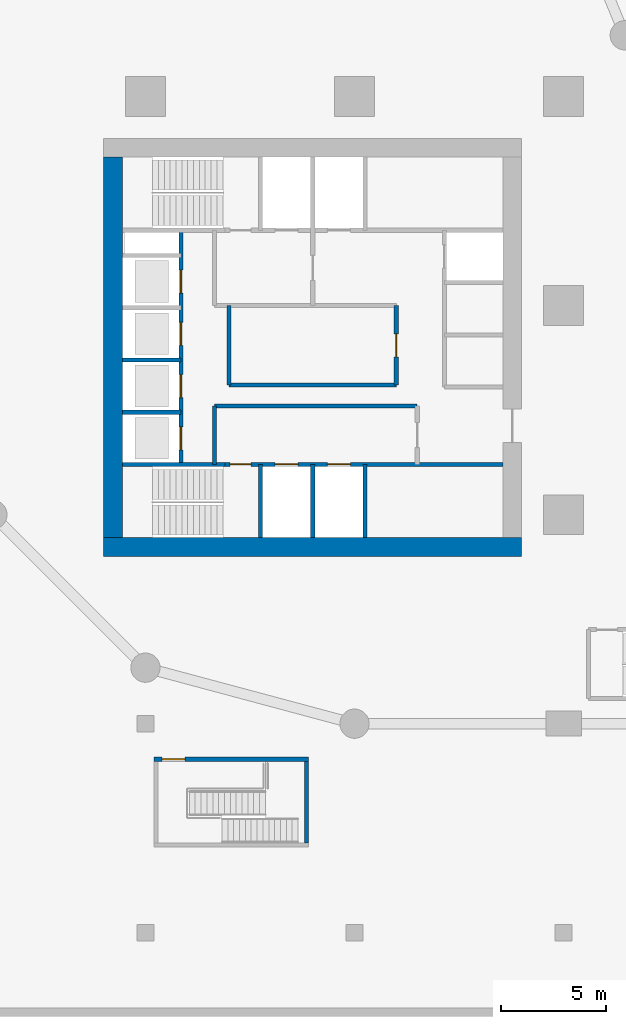
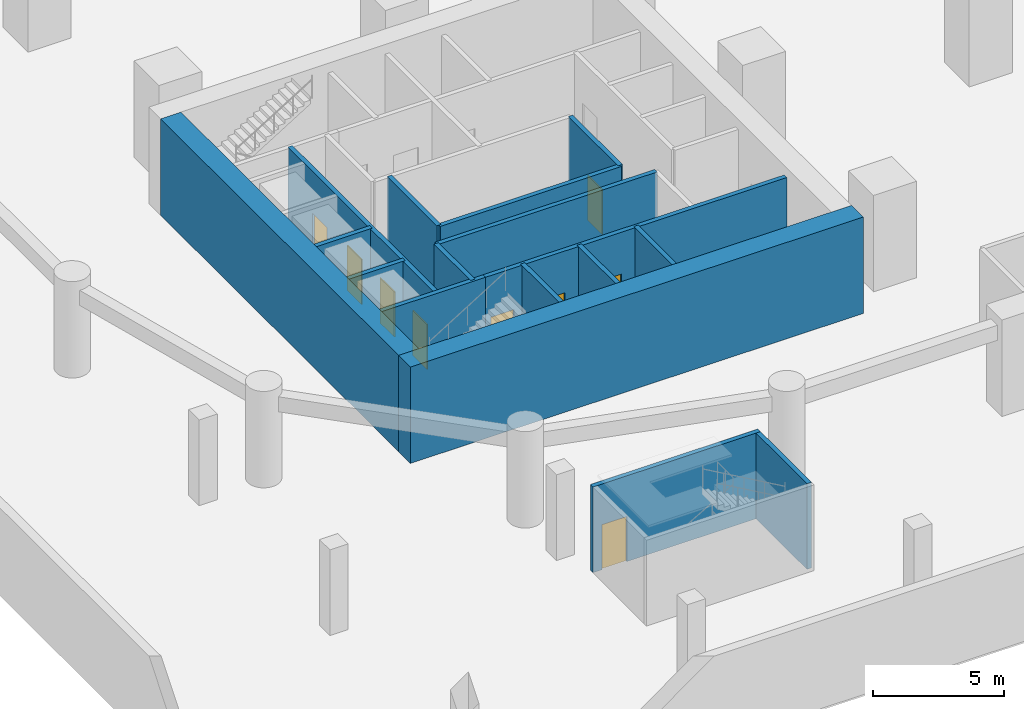
# One storey, part 3 of 19: 17 walls, 9 doors, 9 openings.
"""IFC4 building model written with IfcOpenShell, lengths in metres."""

import ifcopenshell
import ifcopenshell.guid

model = None  # the IFC model being written
_history = None  # IfcOwnerHistory: only IFC2X3 demands one
_inside = {}  # id of a spatial element -> (the spatial element, [elements in it])
_under = {}  # id of a project, library or spatial element -> (it, [spatial elements below it])
_declared = {}  # id of a project -> (the project, [libraries it declares])
_typed = {}  # id of a type object -> (the type object, [elements of that type])
_made_of = {}  # id of a material, layer set ... -> (it, [elements and type objects made of it])


def new_model(schema):
    """Start an empty IFC model of exactly this schema.

    Asked for "IFC4X3", IfcOpenShell would pick the latest addendum, in which some entities
    have other attributes; the version numbers below select the first issue.
    IFC2X3 requires an IfcOwnerHistory on every rooted entity: one is made here for all.
    """
    global model, _history
    if schema == "IFC4X3":
        model = ifcopenshell.file(schema_version=(4, 3, 0, 0))
    else:
        model = ifcopenshell.file(schema=schema)
    _inside.clear()
    _under.clear()
    _declared.clear()
    _typed.clear()
    _made_of.clear()
    _history = None
    if model.schema == "IFC2X3":
        org = make("IfcOrganization", Name="unknown")
        user = make(
            "IfcPersonAndOrganization",
            ThePerson=make("IfcPerson", FamilyName="unknown"),
            TheOrganization=org,
        )
        app = make(
            "IfcApplication",
            ApplicationDeveloper=org,
            Version="unknown",
            ApplicationFullName="unknown",
            ApplicationIdentifier="unknown",
        )
        _history = make(
            "IfcOwnerHistory",
            OwningUser=user,
            OwningApplication=app,
            ChangeAction="ADDED",
            CreationDate=0,
        )
    return model


def make(cls, **values):
    """One entity of the class cls with the attributes given. An attribute that is None is left unset."""
    return model.create_entity(
        cls, **{name: value for name, value in values.items() if value is not None}
    )


def rooted(cls, **values):
    """An entity with a GlobalId (a new one), such as an element, a storey or a relation."""
    return make(cls, GlobalId=ifcopenshell.guid.new(), OwnerHistory=_history, **values)


def si_unit(unit_type, name, prefix=None):
    """IfcSIUnit, for example si_unit("LENGTHUNIT", "METRE", prefix="MILLI")."""
    return make("IfcSIUnit", UnitType=unit_type, Prefix=prefix, Name=name)


def assignment(units):
    """IfcUnitAssignment: the units of a project."""
    return None if units is None else make("IfcUnitAssignment", Units=units)


def point(xyz):
    """IfcCartesianPoint."""
    return None if xyz is None else make("IfcCartesianPoint", Coordinates=xyz)


def direction(xyz):
    """IfcDirection."""
    return None if xyz is None else make("IfcDirection", DirectionRatios=xyz)


def frame(location, z_axis=None, x_axis=None):
    """IfcAxis2Placement3D, a coordinate frame: its origin and axes. An axis left out is left unset."""
    return make(
        "IfcAxis2Placement3D",
        Location=point(location),
        Axis=direction(z_axis),
        RefDirection=direction(x_axis),
    )


def frame_2d(location, x_axis=None):
    """IfcAxis2Placement2D, a coordinate frame in the plane: its origin and x axis."""
    return make(
        "IfcAxis2Placement2D", Location=point(location), RefDirection=direction(x_axis)
    )


def origin():
    """The frame at (0, 0, 0) with its axes left unset."""
    return frame((0.0, 0.0, 0.0))


def place(relative_to, where):
    """IfcLocalPlacement: puts the frame where relative to a parent placement (None: the world)."""
    return make(
        "IfcLocalPlacement", PlacementRelTo=relative_to, RelativePlacement=where
    )


def context(
    kind, dimensions, precision=None, world=None, true_north=None, identifier=None
):
    """IfcGeometricRepresentationContext, for example the 3D "Model" context."""
    return make(
        "IfcGeometricRepresentationContext",
        ContextIdentifier=identifier,
        ContextType=kind,
        CoordinateSpaceDimension=dimensions,
        Precision=precision,
        WorldCoordinateSystem=world,
        TrueNorth=true_north,
    )


def subcontext(parent, identifier, kind, view, scale=None):
    """IfcGeometricRepresentationSubContext, for example "Body" below "Model"."""
    return make(
        "IfcGeometricRepresentationSubContext",
        ContextIdentifier=identifier,
        ContextType=kind,
        ParentContext=parent,
        TargetScale=scale,
        TargetView=view,
    )


def project(units=None, contexts=None):
    """IfcProject with its units and contexts."""
    return rooted(
        "IfcProject",
        Name="project",
        RepresentationContexts=contexts,
        UnitsInContext=assignment(units),
    )


def spatial(cls, under=None, at=None, **own):
    """A site, building, storey or space (cls), placed at a placement, below another one or the project."""
    s = rooted(cls, ObjectPlacement=at, **own)
    if under is not None:
        _under.setdefault(under.id(), (under, []))[1].append(s)
    return s


def profile(cls, at=None, kind="AREA", **sizes):
    """A parametric profile (cls). Its sizes go by their IFC names, for example OverallWidth=200.0."""
    return make(cls, ProfileType=kind, Position=at, **sizes)


def rectangle(**sizes):
    """IfcRectangleProfileDef."""
    return profile("IfcRectangleProfileDef", **sizes)


def extrude(swept, where, along, depth):
    """IfcExtrudedAreaSolid: the profile swept, set in the frame where, extruded along a direction by depth."""
    return make(
        "IfcExtrudedAreaSolid",
        SweptArea=swept,
        Position=where,
        ExtrudedDirection=direction(along),
        Depth=depth,
    )


def shape(context_of_items, identifier, shape_type, items):
    """IfcShapeRepresentation: the items that make up one representation, for example the "Body"."""
    return make(
        "IfcShapeRepresentation",
        ContextOfItems=context_of_items,
        RepresentationIdentifier=identifier,
        RepresentationType=shape_type,
        Items=items,
    )


def material(Name=None, Category=None):
    """IfcMaterial."""
    return make("IfcMaterial", Name=Name, Category=Category)


def layer(
    of_material, thickness, ventilated=None, Name=None, Category=None, Priority=None
):
    """IfcMaterialLayer: one layer of a wall or slab, of a material (None: an air gap)."""
    return make(
        "IfcMaterialLayer",
        Material=of_material,
        LayerThickness=thickness,
        IsVentilated=ventilated,
        Name=Name,
        Category=Category,
        Priority=Priority,
    )


def layer_set(layers, Name=None):
    """IfcMaterialLayerSet."""
    return make("IfcMaterialLayerSet", MaterialLayers=layers, LayerSetName=Name)


def made_of(thing, what):
    """Note that an element or type object is made of a material, layer set ...; save() writes the relation."""
    if what is not None:
        _made_of.setdefault(what.id(), (what, []))[1].append(thing)
    return thing


def type_object(cls, material=None, **own):
    """A type object (cls), such as IfcWallType, which elements share."""
    return made_of(rooted(cls, **own), material)


def element(
    cls,
    number,
    at=None,
    inside=None,
    cuts=None,
    type_object=None,
    material=None,
    context=None,
    identifier="Body",
    shape_type=None,
    held_by="IfcProductDefinitionShape",
    body=None,
    shapes=None,
    **own,
):
    """One element of the class cls, such as IfcWall. Its Tag is "e" and its number.

    at: its placement. inside: the storey or other place that contains it. cuts: it is an
    opening in that element (IfcRelVoidsElement). A single representation is given by context,
    identifier, shape_type and body (its items); several are given by shapes. held_by: the class
    of the entity that holds the representations. save() writes the other relations.
    """
    e = rooted(cls, Tag="e%d" % number, ObjectPlacement=at, **own)
    if body is not None:
        shapes = [shape(context, identifier, shape_type, body)]
    if shapes is not None:
        e.Representation = make(held_by, Representations=shapes)
    if inside is not None:
        _inside.setdefault(inside.id(), (inside, []))[1].append(e)
    if cuts is not None:
        rooted(
            "IfcRelVoidsElement", RelatingBuildingElement=cuts, RelatedOpeningElement=e
        )
    if type_object is not None:
        _typed.setdefault(type_object.id(), (type_object, []))[1].append(e)
    return made_of(e, material)


def fill(opening, filler):
    """IfcRelFillsElement: the door or window that sits in an opening."""
    return rooted(
        "IfcRelFillsElement",
        RelatingOpeningElement=opening,
        RelatedBuildingElement=filler,
    )


def aggregate(whole, parts):
    """IfcRelAggregates: a whole, such as a stair, and the parts it consists of."""
    return rooted("IfcRelAggregates", RelatingObject=whole, RelatedObjects=parts)


def save(model, path):
    """Write the relations noted so far, then the file.

    IfcRelAggregates (storeys below a building ...), IfcRelContainedInSpatialStructure (elements
    in a storey), IfcRelDefinesByType, IfcRelAssociatesMaterial and IfcRelDeclares: one each for
    every whole, place, type object, material and project.
    """
    for whole, parts in _under.values():
        aggregate(whole, parts)
    for where, things in _inside.values():
        rooted(
            "IfcRelContainedInSpatialStructure",
            RelatedElements=things,
            RelatingStructure=where,
        )
    for kind, things in _typed.values():
        rooted("IfcRelDefinesByType", RelatedObjects=things, RelatingType=kind)
    for what, things in _made_of.values():
        rooted("IfcRelAssociatesMaterial", RelatedObjects=things, RelatingMaterial=what)
    for by, libraries in _declared.values():
        rooted("IfcRelDeclares", RelatingContext=by, RelatedDefinitions=libraries)
    model.write(path)


model = new_model("IFC4")

# Units and contexts
model_context = context("Model", 3, precision=1e-05, world=origin(), true_north=direction((0.0, 1.0)))
body_context = subcontext(model_context, "Body", "Model", "MODEL_VIEW")
ifc_project = project(units=[si_unit("LENGTHUNIT", "METRE"), si_unit("AREAUNIT", "SQUARE_METRE"), si_unit("VOLUMEUNIT", "CUBIC_METRE"), si_unit("PLANEANGLEUNIT", "RADIAN"), si_unit("MASSUNIT", "GRAM", prefix="KILO")], contexts=[model_context])

# Site, building, storey
site_placement = place(None, origin())
site = spatial("IfcSite", under=ifc_project, at=site_placement, CompositionType="ELEMENT")
building_placement = place(site_placement, origin())
building = spatial("IfcBuilding", under=site, at=building_placement, Name="Qaws Garden Tower", CompositionType="ELEMENT")
storey_placement = place(building_placement, frame((0.0, 0.0, -4.5)))
storey = spatial("IfcBuildingStorey", under=building, at=storey_placement, Name="B1", CompositionType="ELEMENT", Elevation=-4.5)

# Wall
ifc_material_1 = material(Name="Concrete C80", Category="concrete")
ifc_layer_1 = layer(ifc_material_1, 0.199951171875)
ifc_layer_set_1 = layer_set([ifc_layer_1], Name="Concrete C80")
wall_type_1 = type_object("IfcWallType", Name="Core shaft wall 200 C80", PredefinedType="SHEAR", material=ifc_layer_set_1)
wall_1_placement = place(storey_placement, frame((8.89990234375, 12.39990234375, 0.0), z_axis=(0.0, 0.0, 1.0), x_axis=(1.0, 0.0, 0.0)))
element("IfcWall", 1, at=wall_1_placement, inside=storey, type_object=wall_type_1, Name="Shaft wall", PredefinedType="SHEAR", context=body_context, shape_type="SweptSolid", body=[
    extrude(rectangle(XDim=4.900146484375, YDim=0.199951171875, at=frame_2d((2.4501953125, 0.0))), origin(), (0.0, 0.0, 1.0), 4.050048828125),
])

# Wall, openings, doors
wall_2_placement = place(storey_placement, frame((13.800048828125, 12.39990234375, 0.0), z_axis=(0.0, 0.0, 1.0), x_axis=(1.0, 0.0, 0.0)))
wall_2 = element("IfcWall", 2, at=wall_2_placement, inside=storey, type_object=wall_type_1, Name="Shaft wall", PredefinedType="SHEAR", context=body_context, shape_type="SweptSolid", body=[
    extrude(rectangle(XDim=13.300048828125, YDim=0.199951171875, at=frame_2d((6.64990234375, 0.0))), origin(), (0.0, 0.0, 1.0), 4.050048828125),
])
opening_1_placement = place(wall_2_placement, frame((2.39990234375, 0.0, 0.0)))
opening_1 = element("IfcOpeningElement", 3, at=opening_1_placement, cuts=wall_2, Name="Opening LD06", PredefinedType="OPENING", context=body_context, shape_type="SweptSolid", body=[
    extrude(rectangle(XDim=1.10009765625, YDim=2.10009765625, at=frame_2d((0.550048828125, 1.050048828125))), frame((0.0, 0.10986328125, 0.0), z_axis=(0.0, -1.0, 0.0), x_axis=(1.0, 0.0, 0.0)), (0.0, 0.0, 1.0), 0.219970703125),
])
opening_2_placement = place(wall_2_placement, frame((4.89990234375, 0.0, 0.0)))
opening_2 = element("IfcOpeningElement", 4, at=opening_2_placement, cuts=wall_2, Name="Opening LD07", PredefinedType="OPENING", context=body_context, shape_type="SweptSolid", body=[
    extrude(rectangle(XDim=1.10009765625, YDim=2.10009765625, at=frame_2d((0.550048828125, 1.050048828125))), frame((0.0, 0.10986328125, 0.0), z_axis=(0.0, -1.0, 0.0), x_axis=(1.0, 0.0, 0.0)), (0.0, 0.0, 1.0), 0.219970703125),
])
opening_3_placement = place(wall_2_placement, frame((0.25, 0.0, 0.0)))
opening_3 = element("IfcOpeningElement", 5, at=opening_3_placement, cuts=wall_2, Name="Opening SD10", PredefinedType="OPENING", context=body_context, shape_type="SweptSolid", body=[
    extrude(rectangle(XDim=1.0, YDim=2.10009765625, at=frame_2d((0.5, 1.050048828125))), frame((0.0, 0.10986328125, 0.0), z_axis=(0.0, -1.0, 0.0), x_axis=(1.0, 0.0, 0.0)), (0.0, 0.0, 1.0), 0.219970703125),
])
ifc_material_2 = material(Name="Steel S235", Category="steel")
door_type_1 = type_object("IfcDoorType", Name="Landing door 1100x2100", OperationType="DOUBLE_DOOR_SLIDING", PredefinedType="DOOR", material=ifc_material_2)
door_1_placement = place(opening_1_placement, origin())
door_1 = element("IfcDoor", 6, at=door_1_placement, inside=storey, type_object=door_type_1, Name="Lift FF1 landing door", OperationType="DOUBLE_DOOR_SLIDING", OverallHeight=2.10009765625, OverallWidth=1.10009765625, PredefinedType="DOOR", context=body_context, shape_type="SweptSolid", body=[
    extrude(rectangle(XDim=1.10009765625, YDim=2.10009765625, at=frame_2d((0.550048828125, 1.050048828125))), frame((0.0, 0.02490234375, 0.0), z_axis=(0.0, -1.0, 0.0), x_axis=(1.0, 0.0, 0.0)), (0.0, 0.0, 1.0), 0.050048828125),
])
fill(opening_1, door_1)
door_2_placement = place(opening_2_placement, origin())
door_2 = element("IfcDoor", 7, at=door_2_placement, inside=storey, type_object=door_type_1, Name="Lift FF2 landing door", OperationType="DOUBLE_DOOR_SLIDING", OverallHeight=2.10009765625, OverallWidth=1.10009765625, PredefinedType="DOOR", context=body_context, shape_type="SweptSolid", body=[
    extrude(rectangle(XDim=1.10009765625, YDim=2.10009765625, at=frame_2d((0.550048828125, 1.050048828125))), frame((0.0, 0.02490234375, 0.0), z_axis=(0.0, -1.0, 0.0), x_axis=(1.0, 0.0, 0.0)), (0.0, 0.0, 1.0), 0.050048828125),
])
fill(opening_2, door_2)
ifc_material_3 = material(Name="Steel S235", Category="steel")
door_type_2 = type_object("IfcDoorType", Name="Stair door 1000x2100", OperationType="SINGLE_SWING_RIGHT", PredefinedType="DOOR", material=ifc_material_3)
door_3_placement = place(opening_3_placement, frame((1.0, 0.0, 0.0), z_axis=(0.0, 0.0, 1.0), x_axis=(-1.0, 0.0, 0.0)))
door_3 = element("IfcDoor", 8, at=door_3_placement, inside=storey, type_object=door_type_2, Name="Stair 1 door", OperationType="SINGLE_SWING_LEFT", OverallHeight=2.10009765625, OverallWidth=1.0, PredefinedType="DOOR", context=body_context, shape_type="SweptSolid", body=[
    extrude(rectangle(XDim=1.0, YDim=2.10009765625, at=frame_2d((0.5, 1.050048828125))), frame((0.0, 0.02490234375, 0.0), z_axis=(0.0, -1.0, 0.0), x_axis=(1.0, 0.0, 0.0)), (0.0, 0.0, 1.0), 0.050048828125),
])
fill(opening_3, door_3)

# Walls
wall_3_placement = place(storey_placement, frame((8.89990234375, 14.89990234375, 0.0), z_axis=(0.0, 0.0, 1.0), x_axis=(1.0, 0.0, 0.0)))
element("IfcWall", 9, at=wall_3_placement, inside=storey, type_object=wall_type_1, Name="Shaft wall", PredefinedType="SHEAR", context=body_context, shape_type="SweptSolid", body=[
    extrude(rectangle(XDim=2.800048828125, YDim=0.199951171875, at=frame_2d((1.39990234375, 0.0))), origin(), (0.0, 0.0, 1.0), 4.050048828125),
])
wall_4_placement = place(storey_placement, frame((13.300048828125, 15.199951171875, 0.0), z_axis=(0.0, 0.0, 1.0), x_axis=(1.0, 0.0, 0.0)))
element("IfcWall", 10, at=wall_4_placement, inside=storey, type_object=wall_type_1, Name="Shaft wall", PredefinedType="SHEAR", context=body_context, shape_type="SweptSolid", body=[
    extrude(rectangle(XDim=9.699951171875, YDim=0.199951171875, at=frame_2d((4.85009765625, 0.0))), origin(), (0.0, 0.0, 1.0), 4.050048828125),
])
wall_5_placement = place(storey_placement, frame((14.0, 16.199951171875, 0.0), z_axis=(0.0, 0.0, 1.0), x_axis=(1.0, 0.0, 0.0)))
element("IfcWall", 11, at=wall_5_placement, inside=storey, type_object=wall_type_1, Name="Shaft wall", PredefinedType="SHEAR", context=body_context, shape_type="SweptSolid", body=[
    extrude(rectangle(XDim=8.0, YDim=0.199951171875, at=frame_2d((4.0, 0.0))), origin(), (0.0, 0.0, 1.0), 4.050048828125),
])
wall_6_placement = place(storey_placement, frame((8.89990234375, 17.39990234375, 0.0), z_axis=(0.0, 0.0, 1.0), x_axis=(1.0, 0.0, 0.0)))
element("IfcWall", 12, at=wall_6_placement, inside=storey, type_object=wall_type_1, Name="Shaft wall", PredefinedType="SHEAR", context=body_context, shape_type="SweptSolid", body=[
    extrude(rectangle(XDim=2.800048828125, YDim=0.199951171875, at=frame_2d((1.39990234375, 0.0))), origin(), (0.0, 0.0, 1.0), 4.050048828125),
])

# Wall, openings, doors
wall_7_placement = place(storey_placement, frame((11.699951171875, 12.39990234375, 0.0), z_axis=(0.0, 0.0, 1.0), x_axis=(0.0, 1.0, 0.0)))
wall_7 = element("IfcWall", 13, at=wall_7_placement, inside=storey, type_object=wall_type_1, Name="Shaft wall", PredefinedType="SHEAR", context=body_context, shape_type="SweptSolid", body=[
    extrude(rectangle(XDim=11.2001953125, YDim=0.199951171875, at=frame_2d((5.60009765625, 0.0))), origin(), (0.0, 0.0, 1.0), 4.050048828125),
])
opening_4_placement = place(wall_7_placement, frame((0.699951171875, 0.0, 0.0)))
opening_4 = element("IfcOpeningElement", 14, at=opening_4_placement, cuts=wall_7, Name="Opening LD01", PredefinedType="OPENING", context=body_context, shape_type="SweptSolid", body=[
    extrude(rectangle(XDim=1.10009765625, YDim=2.10009765625, at=frame_2d((0.550048828125, 1.050048828125))), frame((0.0, 0.10986328125, 0.0), z_axis=(0.0, -1.0, 0.0), x_axis=(1.0, 0.0, 0.0)), (0.0, 0.0, 1.0), 0.219970703125),
])
opening_5_placement = place(wall_7_placement, frame((3.199951171875, 0.0, 0.0)))
opening_5 = element("IfcOpeningElement", 15, at=opening_5_placement, cuts=wall_7, Name="Opening LD02", PredefinedType="OPENING", context=body_context, shape_type="SweptSolid", body=[
    extrude(rectangle(XDim=1.10009765625, YDim=2.10009765625, at=frame_2d((0.550048828125, 1.050048828125))), frame((0.0, 0.10986328125, 0.0), z_axis=(0.0, -1.0, 0.0), x_axis=(1.0, 0.0, 0.0)), (0.0, 0.0, 1.0), 0.219970703125),
])
opening_6_placement = place(wall_7_placement, frame((5.699951171875, 0.0, 0.0)))
opening_6 = element("IfcOpeningElement", 16, at=opening_6_placement, cuts=wall_7, Name="Opening LD03", PredefinedType="OPENING", context=body_context, shape_type="SweptSolid", body=[
    extrude(rectangle(XDim=1.10009765625, YDim=2.10009765625, at=frame_2d((0.550048828125, 1.050048828125))), frame((0.0, 0.10986328125, 0.0), z_axis=(0.0, -1.0, 0.0), x_axis=(1.0, 0.0, 0.0)), (0.0, 0.0, 1.0), 0.219970703125),
])
opening_7_placement = place(wall_7_placement, frame((8.199951171875, 0.0, 0.0)))
opening_7 = element("IfcOpeningElement", 17, at=opening_7_placement, cuts=wall_7, Name="Opening LD04", PredefinedType="OPENING", context=body_context, shape_type="SweptSolid", body=[
    extrude(rectangle(XDim=1.10009765625, YDim=2.10009765625, at=frame_2d((0.550048828125, 1.050048828125))), frame((0.0, 0.10986328125, 0.0), z_axis=(0.0, -1.0, 0.0), x_axis=(1.0, 0.0, 0.0)), (0.0, 0.0, 1.0), 0.219970703125),
])
door_4_placement = place(opening_4_placement, origin())
door_4 = element("IfcDoor", 18, at=door_4_placement, inside=storey, type_object=door_type_1, Name="Lift W1 landing door", OperationType="DOUBLE_DOOR_SLIDING", OverallHeight=2.10009765625, OverallWidth=1.10009765625, PredefinedType="DOOR", context=body_context, shape_type="SweptSolid", body=[
    extrude(rectangle(XDim=1.10009765625, YDim=2.10009765625, at=frame_2d((0.550048828125, 1.050048828125))), frame((0.0, 0.02490234375, 0.0), z_axis=(0.0, -1.0, 0.0), x_axis=(1.0, 0.0, 0.0)), (0.0, 0.0, 1.0), 0.050048828125),
])
fill(opening_4, door_4)
door_5_placement = place(opening_5_placement, origin())
door_5 = element("IfcDoor", 19, at=door_5_placement, inside=storey, type_object=door_type_1, Name="Lift W2 landing door", OperationType="DOUBLE_DOOR_SLIDING", OverallHeight=2.10009765625, OverallWidth=1.10009765625, PredefinedType="DOOR", context=body_context, shape_type="SweptSolid", body=[
    extrude(rectangle(XDim=1.10009765625, YDim=2.10009765625, at=frame_2d((0.550048828125, 1.050048828125))), frame((0.0, 0.02490234375, 0.0), z_axis=(0.0, -1.0, 0.0), x_axis=(1.0, 0.0, 0.0)), (0.0, 0.0, 1.0), 0.050048828125),
])
fill(opening_5, door_5)
door_6_placement = place(opening_6_placement, origin())
door_6 = element("IfcDoor", 20, at=door_6_placement, inside=storey, type_object=door_type_1, Name="Lift W3 landing door", OperationType="DOUBLE_DOOR_SLIDING", OverallHeight=2.10009765625, OverallWidth=1.10009765625, PredefinedType="DOOR", context=body_context, shape_type="SweptSolid", body=[
    extrude(rectangle(XDim=1.10009765625, YDim=2.10009765625, at=frame_2d((0.550048828125, 1.050048828125))), frame((0.0, 0.02490234375, 0.0), z_axis=(0.0, -1.0, 0.0), x_axis=(1.0, 0.0, 0.0)), (0.0, 0.0, 1.0), 0.050048828125),
])
fill(opening_6, door_6)
door_7_placement = place(opening_7_placement, origin())
door_7 = element("IfcDoor", 21, at=door_7_placement, inside=storey, type_object=door_type_1, Name="Lift W4 landing door", OperationType="DOUBLE_DOOR_SLIDING", OverallHeight=2.10009765625, OverallWidth=1.10009765625, PredefinedType="DOOR", context=body_context, shape_type="SweptSolid", body=[
    extrude(rectangle(XDim=1.10009765625, YDim=2.10009765625, at=frame_2d((0.550048828125, 1.050048828125))), frame((0.0, 0.02490234375, 0.0), z_axis=(0.0, -1.0, 0.0), x_axis=(1.0, 0.0, 0.0)), (0.0, 0.0, 1.0), 0.050048828125),
])
fill(opening_7, door_7)

# Walls
wall_8_placement = place(storey_placement, frame((13.300048828125, 12.39990234375, 0.0), z_axis=(0.0, 0.0, 1.0), x_axis=(0.0, 1.0, 0.0)))
element("IfcWall", 22, at=wall_8_placement, inside=storey, type_object=wall_type_1, Name="Shaft wall", PredefinedType="SHEAR", context=body_context, shape_type="SweptSolid", body=[
    extrude(rectangle(XDim=2.800048828125, YDim=0.199951171875, at=frame_2d((1.39990234375, 0.0))), origin(), (0.0, 0.0, 1.0), 4.050048828125),
])
wall_9_placement = place(storey_placement, frame((14.0, 16.199951171875, 0.0), z_axis=(0.0, 0.0, 1.0), x_axis=(0.0, 1.0, 0.0)))
element("IfcWall", 23, at=wall_9_placement, inside=storey, type_object=wall_type_1, Name="Shaft wall", PredefinedType="SHEAR", context=body_context, shape_type="SweptSolid", body=[
    extrude(rectangle(XDim=3.800048828125, YDim=0.199951171875, at=frame_2d((1.89990234375, 0.0))), origin(), (0.0, 0.0, 1.0), 4.050048828125),
])
for number, where, z_axis, x_axis, name in (
    (24, (15.5, 8.89990234375, 0.0), (0.0, 0.0, 1.0), (0.0, 1.0, 0.0), "Shaft wall"),
    (25, (18.0, 8.89990234375, 0.0), (0.0, 0.0, 1.0), (0.0, 1.0, 0.0), "Shaft wall"),
    (26, (20.5, 8.89990234375, 0.0), (0.0, 0.0, 1.0), (0.0, 1.0, 0.0), "Shaft wall"),
):
    element("IfcWall", number, at=place(storey_placement, frame(where, z_axis=z_axis, x_axis=x_axis)), inside=storey, type_object=wall_type_1, Name=name, PredefinedType="SHEAR", context=body_context, shape_type="SweptSolid", body=[
        extrude(rectangle(XDim=3.5, YDim=0.199951171875, at=frame_2d((1.75, 0.0))), origin(), (0.0, 0.0, 1.0), 4.050048828125),
    ])

# Wall, opening, door
wall_10_placement = place(storey_placement, frame((22.0, 16.199951171875, 0.0), z_axis=(0.0, 0.0, 1.0), x_axis=(0.0, 1.0, 0.0)))
wall_10 = element("IfcWall", 27, at=wall_10_placement, inside=storey, type_object=wall_type_1, Name="Shaft wall", PredefinedType="SHEAR", context=body_context, shape_type="SweptSolid", body=[
    extrude(rectangle(XDim=3.800048828125, YDim=0.199951171875, at=frame_2d((1.89990234375, 0.0))), origin(), (0.0, 0.0, 1.0), 4.050048828125),
])
opening_8_placement = place(wall_10_placement, frame((1.35009765625, 0.0, 0.0)))
opening_8 = element("IfcOpeningElement", 28, at=opening_8_placement, cuts=wall_10, Name="Opening XD15", PredefinedType="OPENING", context=body_context, shape_type="SweptSolid", body=[
    extrude(rectangle(XDim=1.10009765625, YDim=2.10009765625, at=frame_2d((0.550048828125, 1.050048828125))), frame((0.0, 0.10986328125, 0.0), z_axis=(0.0, -1.0, 0.0), x_axis=(1.0, 0.0, 0.0)), (0.0, 0.0, 1.0), 0.219970703125),
])
ifc_material_4 = material(Name="Timber", Category="wood")
door_type_3 = type_object("IfcDoorType", Name="WC lobby door 1100x2100", OperationType="SINGLE_SWING_LEFT", PredefinedType="DOOR", material=ifc_material_4)
door_8_placement = place(opening_8_placement, origin())
door_8 = element("IfcDoor", 29, at=door_8_placement, inside=storey, type_object=door_type_3, Name="Plant room door", OperationType="SINGLE_SWING_RIGHT", OverallHeight=2.10009765625, OverallWidth=1.10009765625, PredefinedType="DOOR", context=body_context, shape_type="SweptSolid", body=[
    extrude(rectangle(XDim=1.10009765625, YDim=2.10009765625, at=frame_2d((0.550048828125, 1.050048828125))), frame((0.0, 0.02490234375, 0.0), z_axis=(0.0, -1.0, 0.0), x_axis=(1.0, 0.0, 0.0)), (0.0, 0.0, 1.0), 0.050048828125),
])
fill(opening_8, door_8)

# Walls
ifc_material_5 = material(Name="Concrete C80", Category="concrete")
ifc_layer_2 = layer(ifc_material_5, 0.89990234375)
ifc_layer_set_2 = layer_set([ifc_layer_2], Name="Concrete C80")
wall_type_2 = type_object("IfcWallType", Name="Core wall 900 C80", PredefinedType="SHEAR", material=ifc_layer_set_2)
wall_11_placement = place(storey_placement, frame((8.0, 8.449951171875, 0.0), z_axis=(0.0, 0.0, 1.0), x_axis=(1.0, 0.0, 0.0)))
element("IfcWall", 30, at=wall_11_placement, inside=storey, type_object=wall_type_2, Name="Core wall B1 south", PredefinedType="SHEAR", context=body_context, shape_type="SweptSolid", body=[
    extrude(rectangle(XDim=20.0, YDim=0.89990234375, at=frame_2d((10.0, 0.0))), origin(), (0.0, 0.0, 1.0), 4.5),
])
wall_12_placement = place(storey_placement, frame((8.449951171875, 27.10009765625, 0.0), z_axis=(0.0, 0.0, 1.0), x_axis=(0.0, -1.0, 0.0)))
element("IfcWall", 31, at=wall_12_placement, inside=storey, type_object=wall_type_2, Name="Core wall B1 west", PredefinedType="SHEAR", context=body_context, shape_type="SweptSolid", body=[
    extrude(rectangle(XDim=18.2001953125, YDim=0.89990234375, at=frame_2d((9.10009765625, 0.0))), origin(), (0.0, 0.0, 1.0), 4.5),
])

# Wall, opening, door
ifc_material_6 = material(Name="Concrete C40", Category="concrete")
ifc_layer_3 = layer(ifc_material_6, 0.199951171875)
ifc_layer_set_3 = layer_set([ifc_layer_3], Name="Concrete C40")
wall_type_3 = type_object("IfcWallType", Name="Stair enclosure wall 200", PredefinedType="SOLIDWALL", material=ifc_layer_set_3)
wall_13_placement = place(storey_placement, frame((10.39990234375, -1.699951171875, 0.0), z_axis=(0.0, 0.0, 1.0), x_axis=(1.0, 0.0, 0.0)))
wall_13 = element("IfcWall", 32, at=wall_13_placement, inside=storey, type_object=wall_type_3, Name="Stair S1 enclosure wall", PredefinedType="SOLIDWALL", context=body_context, shape_type="SweptSolid", body=[
    extrude(rectangle(XDim=7.400146484375, YDim=0.199951171875, at=frame_2d((3.7001953125, 0.0))), origin(), (0.0, 0.0, 1.0), 4.0),
])
opening_9_placement = place(wall_13_placement, frame((0.39990234375, 0.0, 0.0)))
opening_9 = element("IfcOpeningElement", 33, at=opening_9_placement, cuts=wall_13, Name="Opening PD4-05", PredefinedType="OPENING", context=body_context, shape_type="SweptSolid", body=[
    extrude(rectangle(XDim=1.10009765625, YDim=2.10009765625, at=frame_2d((0.550048828125, 1.050048828125))), frame((0.0, 0.10986328125, 0.0), z_axis=(0.0, -1.0, 0.0), x_axis=(1.0, 0.0, 0.0)), (0.0, 0.0, 1.0), 0.219970703125),
])
ifc_material_7 = material(Name="Steel S235 framed door leaf", Category="steel")
door_type_4 = type_object("IfcDoorType", Name="Door D4 fire stair 1100", OperationType="SINGLE_SWING_LEFT", PredefinedType="DOOR", material=ifc_material_7)
door_9_placement = place(opening_9_placement, origin())
door_9 = element("IfcDoor", 34, at=door_9_placement, inside=storey, type_object=door_type_4, Name="Exit stair door", OperationType="SINGLE_SWING_RIGHT", OverallHeight=2.10009765625, OverallWidth=1.10009765625, PredefinedType="DOOR", context=body_context, shape_type="SweptSolid", body=[
    extrude(rectangle(XDim=1.10009765625, YDim=2.10009765625, at=frame_2d((0.550048828125, 1.050048828125))), frame((0.0, 0.02490234375, 0.0), z_axis=(0.0, -1.0, 0.0), x_axis=(1.0, 0.0, 0.0)), (0.0, 0.0, 1.0), 0.050048828125),
])
fill(opening_9, door_9)

# Wall
wall_14_placement = place(storey_placement, frame((17.699951171875, -1.800048828125, 0.0), z_axis=(0.0, 0.0, 1.0), x_axis=(0.0, -1.0, 0.0)))
element("IfcWall", 35, at=wall_14_placement, inside=storey, type_object=wall_type_3, Name="Stair S1 enclosure wall", PredefinedType="SOLIDWALL", context=body_context, shape_type="SweptSolid", body=[
    extrude(rectangle(XDim=3.89990234375, YDim=0.199951171875, at=frame_2d((1.949951171875, 0.0))), origin(), (0.0, 0.0, 1.0), 4.0),
])

save(model, "model.ifc")
